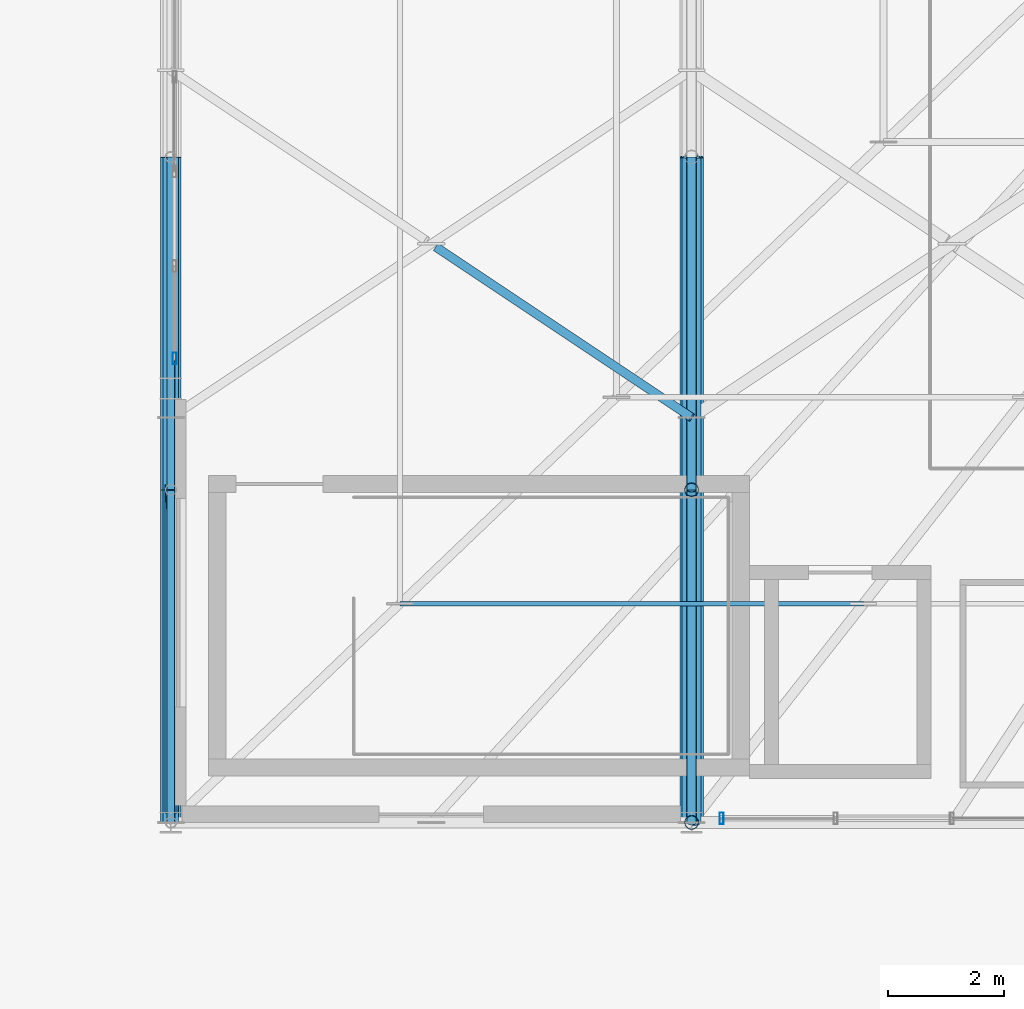
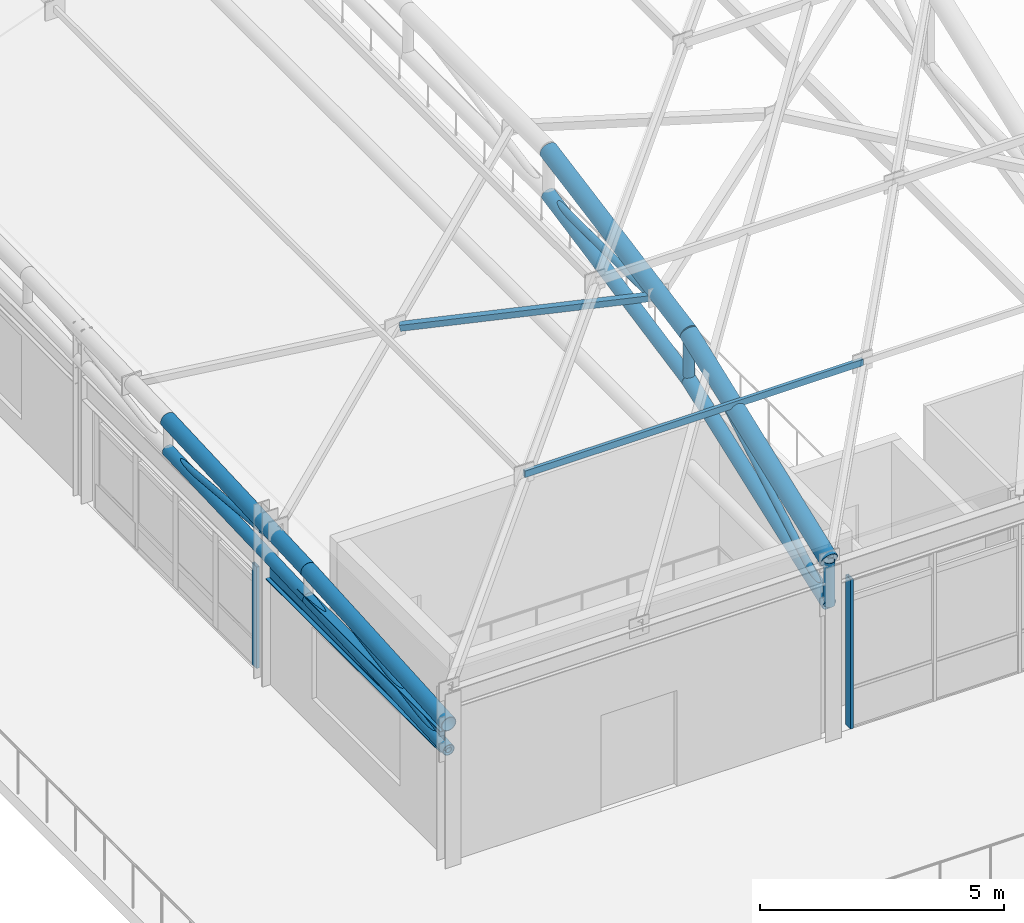
# One storey, part 10 of 168: 14 members, 5 beams, 2 elements without a shape of their own.
"""IFC4 building model written with IfcOpenShell, lengths in metres."""

from ifc_helpers import new_model, si_unit, direction, frame, origin, origin_2d, place, context, subcontext, project, spatial, hollow_rectangle, hollow_circle, i_section, extrude, material, material_profile, profile_set, type_object, element, aggregate, save


model = new_model("IFC4")

# Units and contexts
model_context = context("Model", 3, precision=1e-05, world=origin(), true_north=direction((0.0, 1.0)))
body_context = subcontext(model_context, "Body", "Model", "MODEL_VIEW")
ifc_project = project(units=[si_unit("LENGTHUNIT", "METRE"), si_unit("AREAUNIT", "SQUARE_METRE"), si_unit("VOLUMEUNIT", "CUBIC_METRE"), si_unit("PLANEANGLEUNIT", "RADIAN"), si_unit("MASSUNIT", "GRAM", prefix="KILO"), si_unit("THERMODYNAMICTEMPERATUREUNIT", "KELVIN"), si_unit("POWERUNIT", "WATT")], contexts=[model_context])

# Site, building, storey
site_placement = place(None, origin())
site = spatial("IfcSite", under=ifc_project, at=site_placement, CompositionType="ELEMENT")
building_placement = place(site_placement, origin())
building = spatial("IfcBuilding", under=site, at=building_placement, Name="Tepalcoro Natatorium and Aquatics Centre", CompositionType="ELEMENT")
storey_placement = place(building_placement, frame((0.0, 0.0, 10.199951171875)))
storey = spatial("IfcBuildingStorey", under=building, at=storey_placement, Name="L02", CompositionType="ELEMENT", Elevation=10.199951171875)

# Beams
ifc_material_1 = material(Name="Terracotta Painted Hollow Steel ASTM A500 Grade C (Fy 345 MPa)", Category="masonry")
ifc_material_profile_1 = material_profile(ifc_material_1, hollow_circle(Radius=0.177978515625, WallThickness=0.01611328125, at=origin_2d()), Name="CHS356X16")
ifc_profile_set_1 = profile_set([ifc_material_profile_1], Name="Terracotta Painted Hollow Steel ASTM A500 Grade C (Fy 345 MPa)")
beam_type_1 = type_object("IfcBeamType", Name="AC_CHS356x16", PredefinedType="USERDEFINED", material=ifc_profile_set_1)
beam_1_placement = place(storey_placement, frame((53.0, 13.0, 3.449951171875), z_axis=(0.0, 0.997912996707, 0.064572834875), x_axis=(-1.0, 0.0, 0.0)))
element("IfcBeam", 1, at=beam_1_placement, inside=storey, type_object=beam_type_1, Name="V1 Gable Arched Truss Top Chord 1", ObjectType="ARCH CHORD", PredefinedType="USERDEFINED", context=body_context, shape_type="SweptSolid", body=[
    extrude(hollow_circle(Radius=0.177978515625, WallThickness=0.01611328125, at=origin_2d()), origin(), (0.0, 0.0, 1.0), 5.761962890625),
])
beam_2_placement = place(storey_placement, frame((53.0, 18.75, 3.822021484375), z_axis=(0.0, 0.998934685623, 0.046146439282), x_axis=(-1.0, 0.0, 0.0)))
element("IfcBeam", 2, at=beam_2_placement, inside=storey, type_object=beam_type_1, Name="V1 Gable Arched Truss Top Chord 1", ObjectType="ARCH CHORD", PredefinedType="USERDEFINED", context=body_context, shape_type="SweptSolid", body=[
    extrude(hollow_circle(Radius=0.177978515625, WallThickness=0.01611328125, at=origin_2d()), origin(), (0.0, 0.0, 1.0), 5.756103515625),
])
ifc_material_profile_2 = material_profile(ifc_material_1, hollow_circle(Radius=0.202880859375, WallThickness=0.01611328125, at=origin_2d()), Name="CHS406X16")
ifc_profile_set_2 = profile_set([ifc_material_profile_2], Name="Terracotta Painted Hollow Steel ASTM A500 Grade C (Fy 345 MPa)")
beam_type_2 = type_object("IfcBeamType", Name="AC_CHS406x16", PredefinedType="USERDEFINED", material=ifc_profile_set_2)
beam_3_placement = place(storey_placement, frame((62.0, 13.0, 4.39697265625), z_axis=(0.0, 0.934186419385, 0.356785276935), x_axis=(-1.0, 0.0, 0.0)))
element("IfcBeam", 3, at=beam_3_placement, inside=storey, type_object=beam_type_2, Name="V1 Arched Truss Top Chord 2", ObjectType="ARCH CHORD", PredefinedType="USERDEFINED", context=body_context, shape_type="SweptSolid", body=[
    extrude(hollow_circle(Radius=0.202880859375, WallThickness=0.01611328125, at=origin_2d()), origin(), (0.0, 0.0, 1.0), 6.155029296875),
])
beam_4_placement = place(storey_placement, frame((62.0, 18.75, 6.593017578125), z_axis=(0.0, 0.982659932579, 0.185416981164), x_axis=(-1.0, 0.0, 0.0)))
element("IfcBeam", 4, at=beam_4_placement, inside=storey, type_object=beam_type_2, Name="V1 Arched Truss Top Chord 2", ObjectType="ARCH CHORD", PredefinedType="USERDEFINED", context=body_context, shape_type="SweptSolid", body=[
    extrude(hollow_circle(Radius=0.202880859375, WallThickness=0.01611328125, at=origin_2d()), origin(), (0.0, 0.0, 1.0), 5.8515625),
])

# Curtain wall, member
ifc_material_2 = material(Name="Bronze-Anodised Extruded Aluminium Alloy EN AW-6063 T6", Category="aluminium")
curtain_wall_type_1 = type_object("IfcCurtainWallType", Name="CW_V3_FOYER", PredefinedType="USERDEFINED", material=ifc_material_2)
curtain_wall_1_placement = place(storey_placement, origin())
curtain_wall_1 = element("IfcCurtainWall", 5, at=curtain_wall_1_placement, inside=storey, type_object=curtain_wall_type_1, Name="V1 L02 S Unitised Curtain Wall Bay 2", ObjectType="UNITISED STOREFRONT", PredefinedType="USERDEFINED")
ifc_material_profile_3 = material_profile(ifc_material_2, hollow_rectangle(XDim=0.070068359375, YDim=0.199951171875, WallThickness=0.0048828125, at=origin_2d()), Name="AL70X200X5")
ifc_profile_set_3 = profile_set([ifc_material_profile_3], Name="Bronze-Anodised Extruded Aluminium Alloy EN AW-6063 T6")
member_type_1 = type_object("IfcMemberType", Name="CW_MUL_70x200", PredefinedType="MULLION", material=ifc_profile_set_3)
member_1_placement = place(storey_placement, frame((62.52001953125, 13.0712890625, 0.02001953125), z_axis=(0.0, 0.0, 1.0), x_axis=(1.0, 0.0, 0.0)))
member_1 = element("IfcMember", 6, at=member_1_placement, type_object=member_type_1, Name="CW_V3_FOYER Curtain Wall Mullion", PredefinedType="MULLION", context=body_context, shape_type="SweptSolid", body=[
    extrude(hollow_rectangle(XDim=0.070068359375, YDim=0.199951171875, WallThickness=0.0048828125, at=origin_2d()), origin(), (0.0, 0.0, 1.0), 3.744140625),
])
aggregate(curtain_wall_1, [member_1])

curtain_wall_type_2 = type_object("IfcCurtainWallType", Name="CW_LEAN_T1_NS", PredefinedType="USERDEFINED", material=ifc_material_2)
curtain_wall_2_placement = place(storey_placement, origin())
curtain_wall_2 = element("IfcCurtainWall", 7, at=curtain_wall_2_placement, inside=storey, type_object=curtain_wall_type_2, Name="V1 L02 W Unitised Curtain Wall Bay 2", ObjectType="FACETED SOLAR GLAZING", PredefinedType="USERDEFINED")
member_2_placement = place(storey_placement, frame((53.06494140625, 21.02001953125, 0.02001953125), z_axis=(0.0, 0.0, 1.0), x_axis=(1.0, 0.0, 0.0)))
member_2 = element("IfcMember", 8, at=member_2_placement, type_object=member_type_1, Name="CW_LEAN_T1_NS Curtain Wall Mullion", PredefinedType="MULLION", context=body_context, shape_type="SweptSolid", body=[
    extrude(hollow_rectangle(XDim=0.070068359375, YDim=0.199951171875, WallThickness=0.0048828125, at=origin_2d()), origin(), (0.0, 0.0, 1.0), 2.5380859375),
])
aggregate(curtain_wall_2, [member_2])

# Members
ifc_material_3 = material(Name="Hollow Steel ASTM A500 Grade C (Fy 345 MPa)", Category="steel")
ifc_material_profile_4 = material_profile(ifc_material_3, hollow_rectangle(XDim=0.14990234375, YDim=0.14990234375, WallThickness=0.010009765625, at=origin_2d()), Name="HSS150X150X10")
ifc_profile_set_4 = profile_set([ifc_material_profile_4], Name="Hollow Steel ASTM A500 Grade C (Fy 345 MPa)")
member_type_2 = type_object("IfcMemberType", Name="MB_BR_HSS150x150x10", PredefinedType="BRACE", material=ifc_profile_set_4)
member_3_placement = place(storey_placement, frame((62.0, 20.0, 6.768310546875), z_axis=(-0.817439726819, 0.544989979481, -0.186489182751), x_axis=(-0.554721450011, -0.832036124755, 0.0)))
element("IfcMember", 9, at=member_3_placement, inside=storey, type_object=member_type_2, Name="V1 Pyramid Roof Split Wind Brace", PredefinedType="BRACE", context=body_context, shape_type="SweptSolid", body=[
    extrude(hollow_rectangle(XDim=0.14990234375, YDim=0.14990234375, WallThickness=0.010009765625, at=origin_2d()), origin(), (0.0, 0.0, 1.0), 5.396240234375),
])
ifc_material_profile_5 = material_profile(ifc_material_1, hollow_circle(Radius=0.136474609375, WallThickness=0.01611328125, at=origin_2d()), Name="CHS273X16")
ifc_profile_set_5 = profile_set([ifc_material_profile_5], Name="Terracotta Painted Hollow Steel ASTM A500 Grade C (Fy 345 MPa)")
member_type_3 = type_object("IfcMemberType", Name="MB_CH_CHS273x16", PredefinedType="CHORD", material=ifc_profile_set_5)
member_4_placement = place(storey_placement, frame((53.0, 13.0, 2.800048828125), z_axis=(0.0, 0.998585550978, 0.053168575107), x_axis=(-1.0, 0.0, 0.0)))
element("IfcMember", 10, at=member_4_placement, inside=storey, type_object=member_type_3, Name="V1 Gable Arched Truss Bottom Chord 1", PredefinedType="CHORD", context=body_context, shape_type="SweptSolid", body=[
    extrude(hollow_circle(Radius=0.136474609375, WallThickness=0.01611328125, at=origin_2d()), origin(), (0.0, 0.0, 1.0), 5.758056640625),
])
member_5_placement = place(storey_placement, frame((53.0, 18.75, 3.106201171875), z_axis=(0.0, 0.999277131445, 0.038015977827), x_axis=(-1.0, 0.0, 0.0)))
element("IfcMember", 11, at=member_5_placement, inside=storey, type_object=member_type_3, Name="V1 Gable Arched Truss Bottom Chord 1", PredefinedType="CHORD", context=body_context, shape_type="SweptSolid", body=[
    extrude(hollow_circle(Radius=0.136474609375, WallThickness=0.01611328125, at=origin_2d()), origin(), (0.0, 0.0, 1.0), 5.754150390625),
])
ifc_material_profile_6 = material_profile(ifc_material_1, hollow_circle(Radius=0.162109375, WallThickness=0.013916015625, at=origin_2d()), Name="CHS324X14")
ifc_profile_set_6 = profile_set([ifc_material_profile_6], Name="Terracotta Painted Hollow Steel ASTM A500 Grade C (Fy 345 MPa)")
member_type_4 = type_object("IfcMemberType", Name="MB_CH_CHS324x14", PredefinedType="CHORD", material=ifc_profile_set_6)
member_6_placement = place(storey_placement, frame((62.0, 13.0, 3.297119140625), z_axis=(0.0, 0.937670456058, 0.347525705288), x_axis=(-1.0, 0.0, 0.0)))
element("IfcMember", 12, at=member_6_placement, inside=storey, type_object=member_type_4, Name="V1 Arched Truss Bottom Chord 2", PredefinedType="CHORD", context=body_context, shape_type="SweptSolid", body=[
    extrude(hollow_circle(Radius=0.162109375, WallThickness=0.013916015625, at=origin_2d()), origin(), (0.0, 0.0, 1.0), 6.13232421875),
])
member_7_placement = place(storey_placement, frame((62.0, 18.75, 5.42822265625), z_axis=(0.0, 0.980591883562, 0.196060087453), x_axis=(-1.0, 0.0, 0.0)))
element("IfcMember", 13, at=member_7_placement, inside=storey, type_object=member_type_4, Name="V1 Arched Truss Bottom Chord 2", PredefinedType="CHORD", context=body_context, shape_type="SweptSolid", body=[
    extrude(hollow_circle(Radius=0.162109375, WallThickness=0.013916015625, at=origin_2d()), origin(), (0.0, 0.0, 1.0), 5.86376953125),
])
ifc_material_profile_7 = material_profile(ifc_material_3, hollow_rectangle(XDim=0.080078125, YDim=0.159912109375, WallThickness=0.008056640625, at=origin_2d()), Name="HSS160X80X8")
ifc_profile_set_7 = profile_set([ifc_material_profile_7], Name="Hollow Steel ASTM A500 Grade C (Fy 345 MPa)")
member_type_5 = type_object("IfcMemberType", Name="MB_PR_HSS160x80x8", PredefinedType="PURLIN", material=ifc_profile_set_7)
member_8_placement = place(storey_placement, frame((56.9599609375, 16.780029296875, 6.03662109375), z_axis=(1.0, 0.0, 0.0), x_axis=(0.0, 1.0, 0.0)))
element("IfcMember", 14, at=member_8_placement, inside=storey, type_object=member_type_5, Name="Pyramid Horizontal Purlin South", PredefinedType="PURLIN", context=body_context, shape_type="SweptSolid", body=[
    extrude(hollow_rectangle(XDim=0.080078125, YDim=0.159912109375, WallThickness=0.008056640625, at=origin_2d()), origin(), (0.0, 0.0, 1.0), 8.010009765625),
])
ifc_material_profile_8 = material_profile(ifc_material_1, hollow_circle(Radius=0.1220703125, WallThickness=0.011962890625, at=origin_2d()), Name="CHS244X12")
ifc_profile_set_8 = profile_set([ifc_material_profile_8], Name="Terracotta Painted Hollow Steel ASTM A500 Grade C (Fy 345 MPa)")
member_type_6 = type_object("IfcMemberType", Name="MB_PS_CHS244x12", PredefinedType="POST", material=ifc_profile_set_8)
member_9_placement = place(storey_placement, frame((62.0, 13.0, 3.297119140625), z_axis=(0.0, 0.0, 1.0), x_axis=(1.0, 0.0, 0.0)))
element("IfcMember", 15, at=member_9_placement, inside=storey, type_object=member_type_6, Name="V1 Arched Truss Vertical Post 2", PredefinedType="POST", context=body_context, shape_type="SweptSolid", body=[
    extrude(hollow_circle(Radius=0.1220703125, WallThickness=0.011962890625, at=origin_2d()), origin(), (0.0, 0.0, 1.0), 1.099853515625),
])
member_10_placement = place(storey_placement, frame((62.0, 18.75, 5.42822265625), z_axis=(0.0, 0.0, 1.0), x_axis=(1.0, 0.0, 0.0)))
element("IfcMember", 16, at=member_10_placement, inside=storey, type_object=member_type_6, Name="V1 Arched Truss Vertical Post 2", PredefinedType="POST", context=body_context, shape_type="SweptSolid", body=[
    extrude(hollow_circle(Radius=0.1220703125, WallThickness=0.011962890625, at=origin_2d()), origin(), (0.0, 0.0, 1.0), 1.164794921875),
])
ifc_material_profile_9 = material_profile(ifc_material_1, hollow_circle(Radius=0.070068359375, WallThickness=0.008056640625, at=origin_2d()), Name="CHS140X8")
ifc_profile_set_9 = profile_set([ifc_material_profile_9], Name="Terracotta Painted Hollow Steel ASTM A500 Grade C (Fy 345 MPa)")
member_type_7 = type_object("IfcMemberType", Name="MB_ST_CHS140x8", PredefinedType="STRUT", material=ifc_profile_set_9)
member_11_placement = place(storey_placement, frame((53.0, 13.0, 2.800048828125), z_axis=(0.0, 0.984569871158, 0.174991910694), x_axis=(-1.0, 0.0, 0.0)))
element("IfcMember", 17, at=member_11_placement, inside=storey, type_object=member_type_7, Name="V1 Arched Truss Web Diagonal 1", PredefinedType="STRUT", context=body_context, shape_type="SweptSolid", body=[
    extrude(hollow_circle(Radius=0.070068359375, WallThickness=0.008056640625, at=origin_2d()), origin(), (0.0, 0.0, 1.0), 5.840087890625),
])
member_12_placement = place(storey_placement, frame((53.0, 18.75, 3.822021484375), z_axis=(0.0, 0.99628427021, -0.086125797136), x_axis=(-1.0, 0.0, 0.0)))
element("IfcMember", 18, at=member_12_placement, inside=storey, type_object=member_type_7, Name="V1 Arched Truss Web Diagonal 1", PredefinedType="STRUT", context=body_context, shape_type="SweptSolid", body=[
    extrude(hollow_circle(Radius=0.070068359375, WallThickness=0.008056640625, at=origin_2d()), origin(), (0.0, 0.0, 1.0), 5.771484375),
])
ifc_material_profile_10 = material_profile(ifc_material_1, hollow_circle(Radius=0.083984375, WallThickness=0.011962890625, at=origin_2d()), Name="CHS168X12")
ifc_profile_set_10 = profile_set([ifc_material_profile_10], Name="Terracotta Painted Hollow Steel ASTM A500 Grade C (Fy 345 MPa)")
member_type_8 = type_object("IfcMemberType", Name="MB_ST_CHS168x12", PredefinedType="STRUT", material=ifc_profile_set_10)
member_13_placement = place(storey_placement, frame((62.0, 13.0, 3.297119140625), z_axis=(0.0, 0.867580440338, 0.497296872646), x_axis=(-1.0, 0.0, 0.0)))
element("IfcMember", 19, at=member_13_placement, inside=storey, type_object=member_type_8, Name="V1 Arched Truss Web Diagonal 2", PredefinedType="STRUT", context=body_context, shape_type="SweptSolid", body=[
    extrude(hollow_circle(Radius=0.083984375, WallThickness=0.011962890625, at=origin_2d()), origin(), (0.0, 0.0, 1.0), 6.627685546875),
])
member_14_placement = place(storey_placement, frame((62.0, 18.75, 6.593017578125), z_axis=(0.0, 0.999996535061, -0.002632463705), x_axis=(-1.0, 0.0, 0.0)))
element("IfcMember", 20, at=member_14_placement, inside=storey, type_object=member_type_8, Name="V1 Arched Truss Web Diagonal 2", PredefinedType="STRUT", context=body_context, shape_type="SweptSolid", body=[
    extrude(hollow_circle(Radius=0.083984375, WallThickness=0.011962890625, at=origin_2d()), origin(), (0.0, 0.0, 1.0), 5.75),
])

# Beam
ifc_material_4 = material(Name="Steel ASTM A992 Grade 50 (Fy 345 MPa)", Category="steel")
ifc_material_profile_11 = material_profile(ifc_material_4, i_section(OverallWidth=0.2099609375, OverallDepth=0.535888671875, WebThickness=0.010986328125, FlangeThickness=0.01708984375, FilletRadius=0.013916015625, at=origin_2d()), Name="W21X68")
ifc_profile_set_11 = profile_set([ifc_material_profile_11], Name="Steel ASTM A992 Grade 50 (Fy 345 MPa)")
beam_type_3 = type_object("IfcBeamType", Name="SP_W21x68", PredefinedType="SPANDREL", material=ifc_profile_set_11)
beam_5_placement = place(storey_placement, frame((53.0, 13.160400390625, 2.93701171875), z_axis=(0.0, 1.0, 0.0), x_axis=(-1.0, 0.0, 0.0)))
element("IfcBeam", 21, at=beam_5_placement, inside=storey, type_object=beam_type_3, Name="V1 L02 Grid Girder Y", PredefinedType="SPANDREL", context=body_context, shape_type="SweptSolid", body=[
    extrude(i_section(OverallWidth=0.2099609375, OverallDepth=0.535888671875, WebThickness=0.010986328125, FlangeThickness=0.01708984375, FilletRadius=0.013916015625, at=origin_2d()), origin(), (0.0, 0.0, 1.0), 7.174072265625),
])

save(model, "model.ifc")
